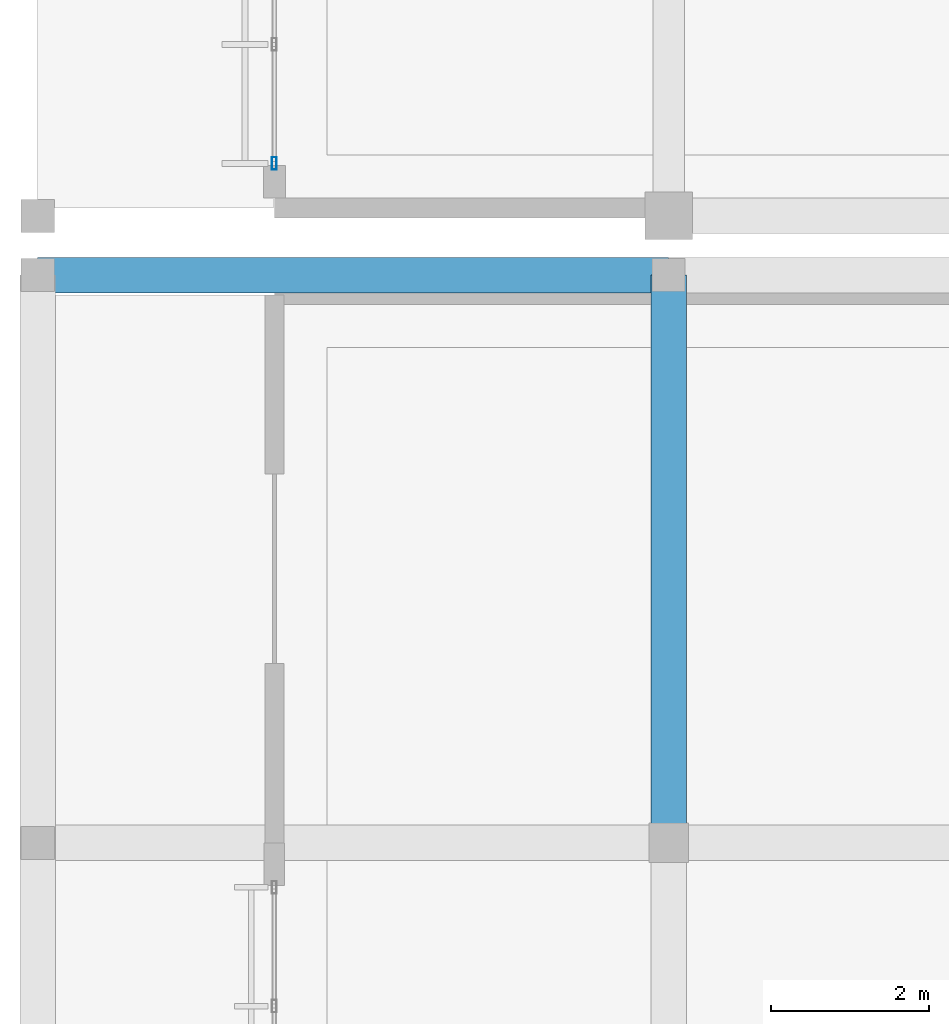
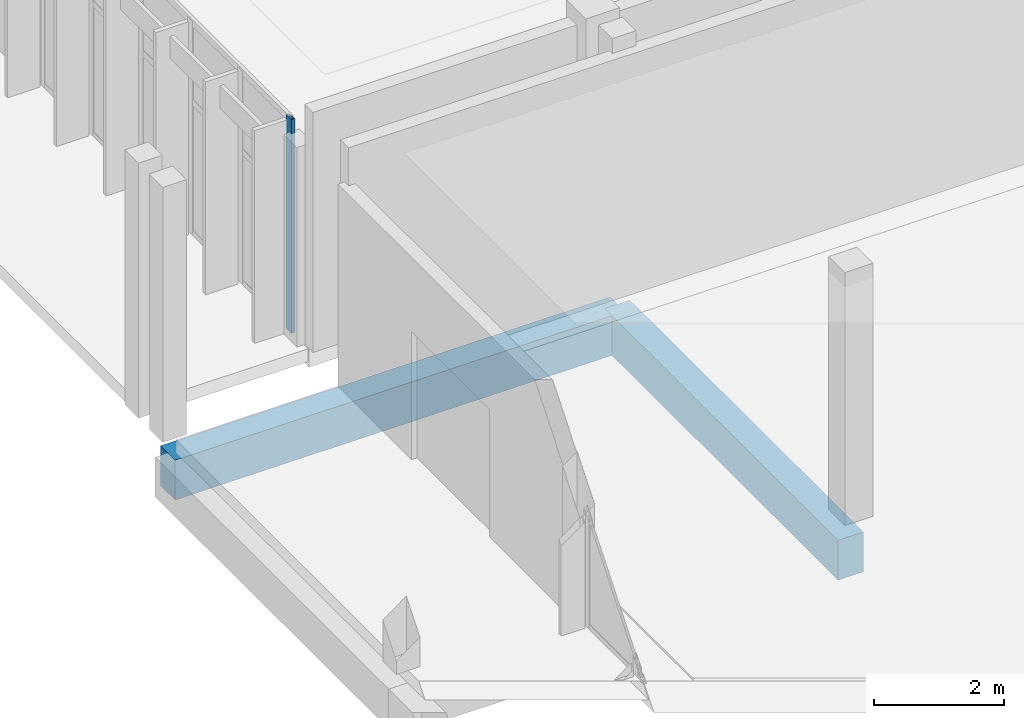
# One storey, part 52 of 151: 2 beams, 1 member, 1 element without a shape of its own.
"""IFC4 building model written with IfcOpenShell, lengths in metres."""

import ifcopenshell
import ifcopenshell.guid

model = None  # the IFC model being written
_history = None  # IfcOwnerHistory: only IFC2X3 demands one
_inside = {}  # id of a spatial element -> (the spatial element, [elements in it])
_under = {}  # id of a project, library or spatial element -> (it, [spatial elements below it])
_declared = {}  # id of a project -> (the project, [libraries it declares])
_typed = {}  # id of a type object -> (the type object, [elements of that type])
_made_of = {}  # id of a material, layer set ... -> (it, [elements and type objects made of it])


def new_model(schema):
    """Start an empty IFC model of exactly this schema.

    Asked for "IFC4X3", IfcOpenShell would pick the latest addendum, in which some entities
    have other attributes; the version numbers below select the first issue.
    IFC2X3 requires an IfcOwnerHistory on every rooted entity: one is made here for all.
    """
    global model, _history
    if schema == "IFC4X3":
        model = ifcopenshell.file(schema_version=(4, 3, 0, 0))
    else:
        model = ifcopenshell.file(schema=schema)
    _inside.clear()
    _under.clear()
    _declared.clear()
    _typed.clear()
    _made_of.clear()
    _history = None
    if model.schema == "IFC2X3":
        org = make("IfcOrganization", Name="unknown")
        user = make(
            "IfcPersonAndOrganization",
            ThePerson=make("IfcPerson", FamilyName="unknown"),
            TheOrganization=org,
        )
        app = make(
            "IfcApplication",
            ApplicationDeveloper=org,
            Version="unknown",
            ApplicationFullName="unknown",
            ApplicationIdentifier="unknown",
        )
        _history = make(
            "IfcOwnerHistory",
            OwningUser=user,
            OwningApplication=app,
            ChangeAction="ADDED",
            CreationDate=0,
        )
    return model


def make(cls, **values):
    """One entity of the class cls with the attributes given. An attribute that is None is left unset."""
    return model.create_entity(
        cls, **{name: value for name, value in values.items() if value is not None}
    )


def rooted(cls, **values):
    """An entity with a GlobalId (a new one), such as an element, a storey or a relation."""
    return make(cls, GlobalId=ifcopenshell.guid.new(), OwnerHistory=_history, **values)


def si_unit(unit_type, name, prefix=None):
    """IfcSIUnit, for example si_unit("LENGTHUNIT", "METRE", prefix="MILLI")."""
    return make("IfcSIUnit", UnitType=unit_type, Prefix=prefix, Name=name)


def assignment(units):
    """IfcUnitAssignment: the units of a project."""
    return None if units is None else make("IfcUnitAssignment", Units=units)


def point(xyz):
    """IfcCartesianPoint."""
    return None if xyz is None else make("IfcCartesianPoint", Coordinates=xyz)


def direction(xyz):
    """IfcDirection."""
    return None if xyz is None else make("IfcDirection", DirectionRatios=xyz)


def frame(location, z_axis=None, x_axis=None):
    """IfcAxis2Placement3D, a coordinate frame: its origin and axes. An axis left out is left unset."""
    return make(
        "IfcAxis2Placement3D",
        Location=point(location),
        Axis=direction(z_axis),
        RefDirection=direction(x_axis),
    )


def frame_2d(location, x_axis=None):
    """IfcAxis2Placement2D, a coordinate frame in the plane: its origin and x axis."""
    return make(
        "IfcAxis2Placement2D", Location=point(location), RefDirection=direction(x_axis)
    )


def origin():
    """The frame at (0, 0, 0) with its axes left unset."""
    return frame((0.0, 0.0, 0.0))


def origin_2d():
    """The frame at (0, 0) in the plane with its x axis left unset."""
    return frame_2d((0.0, 0.0))


def place(relative_to, where):
    """IfcLocalPlacement: puts the frame where relative to a parent placement (None: the world)."""
    return make(
        "IfcLocalPlacement", PlacementRelTo=relative_to, RelativePlacement=where
    )


def context(
    kind, dimensions, precision=None, world=None, true_north=None, identifier=None
):
    """IfcGeometricRepresentationContext, for example the 3D "Model" context."""
    return make(
        "IfcGeometricRepresentationContext",
        ContextIdentifier=identifier,
        ContextType=kind,
        CoordinateSpaceDimension=dimensions,
        Precision=precision,
        WorldCoordinateSystem=world,
        TrueNorth=true_north,
    )


def subcontext(parent, identifier, kind, view, scale=None):
    """IfcGeometricRepresentationSubContext, for example "Body" below "Model"."""
    return make(
        "IfcGeometricRepresentationSubContext",
        ContextIdentifier=identifier,
        ContextType=kind,
        ParentContext=parent,
        TargetScale=scale,
        TargetView=view,
    )


def project(units=None, contexts=None):
    """IfcProject with its units and contexts."""
    return rooted(
        "IfcProject",
        Name="project",
        RepresentationContexts=contexts,
        UnitsInContext=assignment(units),
    )


def spatial(cls, under=None, at=None, **own):
    """A site, building, storey or space (cls), placed at a placement, below another one or the project."""
    s = rooted(cls, ObjectPlacement=at, **own)
    if under is not None:
        _under.setdefault(under.id(), (under, []))[1].append(s)
    return s


def profile(cls, at=None, kind="AREA", **sizes):
    """A parametric profile (cls). Its sizes go by their IFC names, for example OverallWidth=200.0."""
    return make(cls, ProfileType=kind, Position=at, **sizes)


def rectangle(**sizes):
    """IfcRectangleProfileDef."""
    return profile("IfcRectangleProfileDef", **sizes)


def hollow_rectangle(**sizes):
    """IfcRectangleHollowProfileDef."""
    return profile("IfcRectangleHollowProfileDef", **sizes)


def extrude(swept, where, along, depth):
    """IfcExtrudedAreaSolid: the profile swept, set in the frame where, extruded along a direction by depth."""
    return make(
        "IfcExtrudedAreaSolid",
        SweptArea=swept,
        Position=where,
        ExtrudedDirection=direction(along),
        Depth=depth,
    )


def shape(context_of_items, identifier, shape_type, items):
    """IfcShapeRepresentation: the items that make up one representation, for example the "Body"."""
    return make(
        "IfcShapeRepresentation",
        ContextOfItems=context_of_items,
        RepresentationIdentifier=identifier,
        RepresentationType=shape_type,
        Items=items,
    )


def material(Name=None, Category=None):
    """IfcMaterial."""
    return make("IfcMaterial", Name=Name, Category=Category)


def material_profile(
    of_material, cross_section, Name=None, Category=None, Priority=None
):
    """IfcMaterialProfile: a cross section and its material."""
    return make(
        "IfcMaterialProfile",
        Name=Name,
        Material=of_material,
        Profile=cross_section,
        Priority=Priority,
        Category=Category,
    )


def profile_set(profiles, Name=None, composite=None):
    """IfcMaterialProfileSet."""
    return make(
        "IfcMaterialProfileSet",
        Name=Name,
        MaterialProfiles=profiles,
        CompositeProfile=composite,
    )


def made_of(thing, what):
    """Note that an element or type object is made of a material, layer set ...; save() writes the relation."""
    if what is not None:
        _made_of.setdefault(what.id(), (what, []))[1].append(thing)
    return thing


def type_object(cls, material=None, **own):
    """A type object (cls), such as IfcWallType, which elements share."""
    return made_of(rooted(cls, **own), material)


def element(
    cls,
    number,
    at=None,
    inside=None,
    cuts=None,
    type_object=None,
    material=None,
    context=None,
    identifier="Body",
    shape_type=None,
    held_by="IfcProductDefinitionShape",
    body=None,
    shapes=None,
    **own,
):
    """One element of the class cls, such as IfcWall. Its Tag is "e" and its number.

    at: its placement. inside: the storey or other place that contains it. cuts: it is an
    opening in that element (IfcRelVoidsElement). A single representation is given by context,
    identifier, shape_type and body (its items); several are given by shapes. held_by: the class
    of the entity that holds the representations. save() writes the other relations.
    """
    e = rooted(cls, Tag="e%d" % number, ObjectPlacement=at, **own)
    if body is not None:
        shapes = [shape(context, identifier, shape_type, body)]
    if shapes is not None:
        e.Representation = make(held_by, Representations=shapes)
    if inside is not None:
        _inside.setdefault(inside.id(), (inside, []))[1].append(e)
    if cuts is not None:
        rooted(
            "IfcRelVoidsElement", RelatingBuildingElement=cuts, RelatedOpeningElement=e
        )
    if type_object is not None:
        _typed.setdefault(type_object.id(), (type_object, []))[1].append(e)
    return made_of(e, material)


def aggregate(whole, parts):
    """IfcRelAggregates: a whole, such as a stair, and the parts it consists of."""
    return rooted("IfcRelAggregates", RelatingObject=whole, RelatedObjects=parts)


def save(model, path):
    """Write the relations noted so far, then the file.

    IfcRelAggregates (storeys below a building ...), IfcRelContainedInSpatialStructure (elements
    in a storey), IfcRelDefinesByType, IfcRelAssociatesMaterial and IfcRelDeclares: one each for
    every whole, place, type object, material and project.
    """
    for whole, parts in _under.values():
        aggregate(whole, parts)
    for where, things in _inside.values():
        rooted(
            "IfcRelContainedInSpatialStructure",
            RelatedElements=things,
            RelatingStructure=where,
        )
    for kind, things in _typed.values():
        rooted("IfcRelDefinesByType", RelatedObjects=things, RelatingType=kind)
    for what, things in _made_of.values():
        rooted("IfcRelAssociatesMaterial", RelatedObjects=things, RelatingMaterial=what)
    for by, libraries in _declared.values():
        rooted("IfcRelDeclares", RelatingContext=by, RelatedDefinitions=libraries)
    model.write(path)


model = new_model("IFC4")

# Units and contexts
model_context = context("Model", 3, precision=1e-05, world=origin(), true_north=direction((0.0, 1.0)))
body_context = subcontext(model_context, "Body", "Model", "MODEL_VIEW")
ifc_project = project(units=[si_unit("LENGTHUNIT", "METRE"), si_unit("AREAUNIT", "SQUARE_METRE"), si_unit("VOLUMEUNIT", "CUBIC_METRE"), si_unit("PLANEANGLEUNIT", "RADIAN"), si_unit("MASSUNIT", "GRAM", prefix="KILO")], contexts=[model_context])

# Site, building, storey
site_placement = place(None, origin())
site = spatial("IfcSite", under=ifc_project, at=site_placement, CompositionType="ELEMENT")
building_placement = place(site_placement, origin())
building = spatial("IfcBuilding", under=site, at=building_placement, Name="Chiffa Square Polytechnic", CompositionType="ELEMENT")
storey_placement = place(building_placement, origin())
storey = spatial("IfcBuildingStorey", under=building, at=storey_placement, Name="L00", CompositionType="ELEMENT", Elevation=0.0)

# Curtain wall, member
ifc_material_1 = material(Name="Aluminium EN AW-6060 T66 and glulam shading", Category="wood")
curtain_wall_type = type_object("IfcCurtainWallType", Name="CW-VERT-480X380", PredefinedType="USERDEFINED", material=ifc_material_1)
curtain_wall_placement = place(storey_placement, origin())
curtain_wall = element("IfcCurtainWall", 1, at=curtain_wall_placement, inside=storey, type_object=curtain_wall_type, Name="Curtain wall CW-V5-L00-198", ObjectType="CURTAIN WALL", PredefinedType="USERDEFINED")
ifc_material_2 = material(Name="Aluminium EN AW-6060 T66", Category="aluminium")
ifc_material_profile_1 = material_profile(ifc_material_2, hollow_rectangle(XDim=0.06005859375, YDim=0.159912109375, WallThickness=0.00390625, at=origin_2d()), Name="ALU 60x160x4")
ifc_profile_set_1 = profile_set([ifc_material_profile_1], Name="Aluminium EN AW-6060 T66")
member_type = type_object("IfcMemberType", Name="CWM-ALU-65X150", PredefinedType="MULLION", material=ifc_profile_set_1)
member_placement = place(storey_placement, frame((3.0, 95.614990234375, 0.0), z_axis=(0.0, 0.0, 1.0), x_axis=(1.0, 0.0, 0.0)))
member = element("IfcMember", 2, at=member_placement, type_object=member_type, Name="Curtain wall mullion CW-V5-L00-198-M05", PredefinedType="MULLION", context=body_context, shape_type="SweptSolid", body=[
    extrude(hollow_rectangle(XDim=0.06005859375, YDim=0.159912109375, WallThickness=0.00390625, at=origin_2d()), origin(), (0.0, 0.0, 1.0), 4.02490234375),
])
aggregate(curtain_wall, [member])

# Beams
ifc_material_3 = material(Name="Concrete C35/45", Category="concrete")
ifc_material_profile_2 = material_profile(ifc_material_3, rectangle(XDim=0.449951171875, YDim=0.75, at=origin_2d()), Name="RC 450x750")
ifc_profile_set_2 = profile_set([ifc_material_profile_2], Name="Concrete C35/45")
beam_type = type_object("IfcBeamType", Name="GB-RC-450X750", PredefinedType="BEAM", material=ifc_profile_set_2)
beam_1_placement = place(storey_placement, frame((0.0, 94.199951171875, -0.77490234375), z_axis=(1.0, 0.0, 0.0), x_axis=(0.0, 1.0, 0.0)))
element("IfcBeam", 3, at=beam_1_placement, inside=storey, type_object=beam_type, Name="Ground tie beam GB-V6-X-189", PredefinedType="BEAM", context=body_context, shape_type="SweptSolid", body=[
    extrude(rectangle(XDim=0.449951171875, YDim=0.75, at=origin_2d()), origin(), (0.0, 0.0, 1.0), 8.0),
])
beam_2_placement = place(storey_placement, frame((8.0, 87.0, -0.77490234375), z_axis=(0.0, 1.0, 0.0), x_axis=(-1.0, 0.0, 0.0)))
element("IfcBeam", 4, at=beam_2_placement, inside=storey, type_object=beam_type, Name="Ground tie beam GB-V6-Y-210", PredefinedType="BEAM", context=body_context, shape_type="SweptSolid", body=[
    extrude(rectangle(XDim=0.449951171875, YDim=0.75, at=origin_2d()), origin(), (0.0, 0.0, 1.0), 7.199951171875),
])

save(model, "model.ifc")
